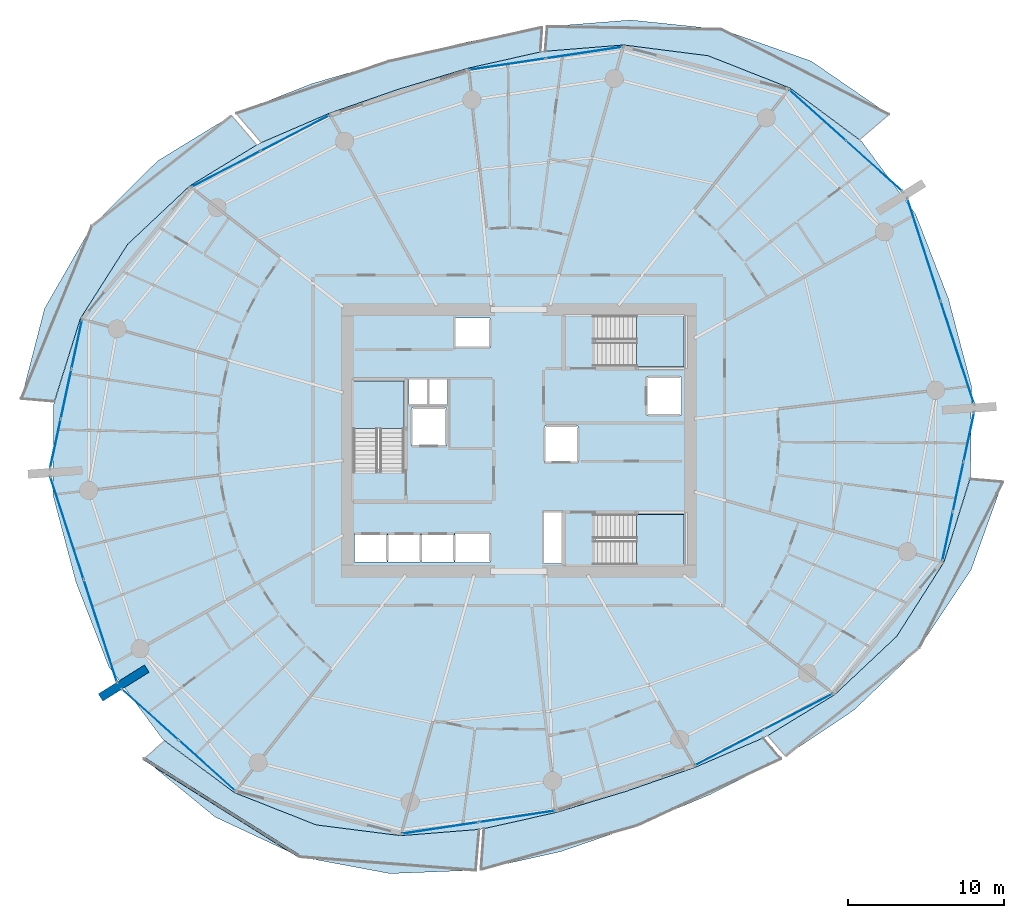
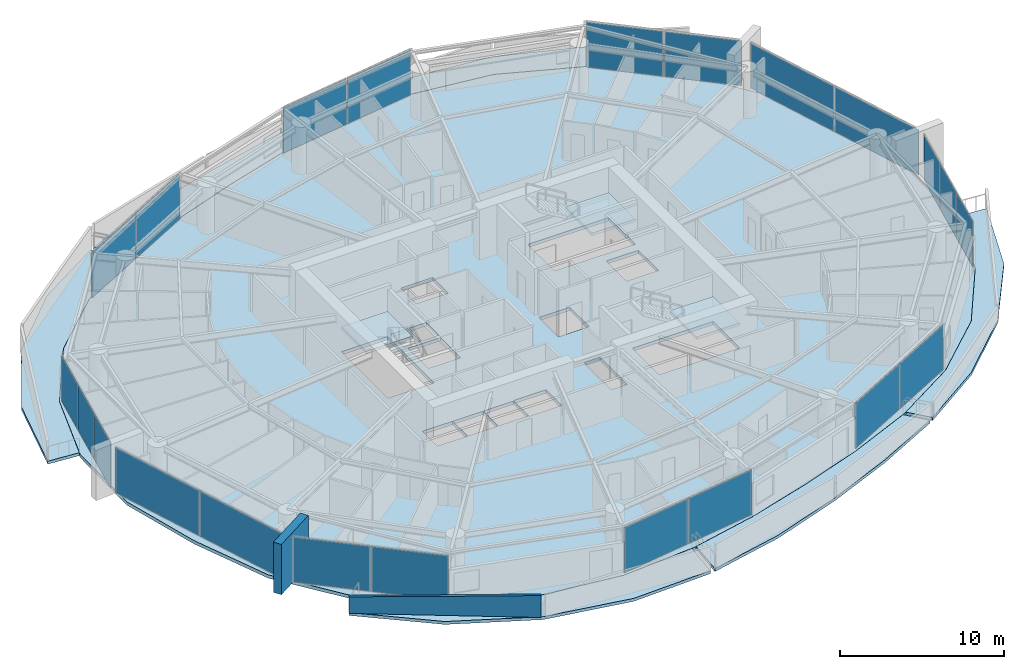
# One storey, part 10 of 23: 22 plates, 10 slabs, 2 walls, 13 elements without a shape of their own.
"""IFC4 building model written with IfcOpenShell, lengths in metres."""

from ifc_helpers import new_model, si_unit, direction, frame, frame_2d, origin, origin_2d, place, context, subcontext, project, spatial, polyline, rectangle, outline, extrude, material, layer, layer_set, type_object, element, aggregate, save


model = new_model("IFC4")

# Units and contexts
model_context = context("Model", 3, precision=1e-05, world=origin(), true_north=direction((0.0, 1.0)))
body_context = subcontext(model_context, "Body", "Model", "MODEL_VIEW")
ifc_project = project(units=[si_unit("LENGTHUNIT", "METRE"), si_unit("AREAUNIT", "SQUARE_METRE"), si_unit("VOLUMEUNIT", "CUBIC_METRE"), si_unit("PLANEANGLEUNIT", "RADIAN"), si_unit("MASSUNIT", "GRAM", prefix="KILO")], contexts=[model_context])

# Site, building, storey
site_placement = place(None, origin())
site = spatial("IfcSite", under=ifc_project, at=site_placement, CompositionType="ELEMENT")
building_placement = place(site_placement, origin())
building = spatial("IfcBuilding", under=site, at=building_placement, Name="Kazma Halo Residences", CompositionType="ELEMENT")
storey_placement = place(building_placement, frame((0.0, 0.0, 78.89990234375)))
storey = spatial("IfcBuildingStorey", under=building, at=storey_placement, Name="L19", CompositionType="ELEMENT", Elevation=78.89990234375)

# Curtain wall, plates
ifc_material_1 = material(Name="Aluminium AW-6063 T6 and Triple-Silver Low-E Glass", Category="aluminium")
ifc_layer_1 = layer(ifc_material_1, 0.199951171875)
ifc_layer_set_1 = layer_set([ifc_layer_1], Name="Aluminium AW-6063 T6 and Triple-Silver Low-E Glass")
curtain_wall_type = type_object("IfcCurtainWallType", Name="CW-SYS-3", PredefinedType="NOTDEFINED", material=ifc_layer_set_1)
curtain_wall_1_placement = place(storey_placement, origin())
curtain_wall_1 = element("IfcCurtainWall", 1, at=curtain_wall_1_placement, inside=storey, type_object=curtain_wall_type, Name="L19 unitised curtain wall B01", PredefinedType="NOTDEFINED")
ifc_material_2 = material(Name="Clear Triple-Silver Low-E Glass IGU", Category="glass")
ifc_layer_2 = layer(ifc_material_2, 0.030029296875)
ifc_layer_set_2 = layer_set([ifc_layer_2], Name="Clear Triple-Silver Low-E Glass IGU")
plate_type = type_object("IfcPlateType", Name="CW-SYS-3-PNL", PredefinedType="CURTAIN_PANEL", material=ifc_layer_set_2)
plate_1_placement = place(storey_placement, frame((71.251220703125, 59.614013671875, 0.06982421875), z_axis=(0.0, 0.0, 1.0), x_axis=(-0.744345279359, 0.667794957375, 0.0)))
plate_1 = element("IfcPlate", 2, at=plate_1_placement, type_object=plate_type, Name="CWS-3 panel 1.1", PredefinedType="CURTAIN_PANEL", context=body_context, shape_type="SweptSolid", body=[
    extrude(rectangle(XDim=4.81982421875, YDim=0.030029296875, at=origin_2d()), origin(), (0.0, 0.0, 1.0), 3.360107421875),
])
plate_2_placement = place(storey_placement, frame((67.611572265625, 62.87939453125, 0.06982421875), z_axis=(0.0, 0.0, 1.0), x_axis=(-0.744345279359, 0.667794957375, 0.0)))
plate_2 = element("IfcPlate", 3, at=plate_2_placement, type_object=plate_type, Name="CWS-3 panel 2.1", PredefinedType="CURTAIN_PANEL", context=body_context, shape_type="SweptSolid", body=[
    extrude(rectangle(XDim=4.81982421875, YDim=0.030029296875, at=origin_2d()), origin(), (0.0, 0.0, 1.0), 3.360107421875),
])
aggregate(curtain_wall_1, [plate_1, plate_2])

curtain_wall_2_placement = place(storey_placement, origin())
curtain_wall_2 = element("IfcCurtainWall", 4, at=curtain_wall_2_placement, inside=storey, type_object=curtain_wall_type, Name="L19 unitised curtain wall B03", PredefinedType="NOTDEFINED")
plate_3_placement = place(storey_placement, frame((52.625732421875, 66.900390625, 0.06982421875), z_axis=(0.0, 0.0, 1.0), x_axis=(-0.988879747814, -0.148717330409, 0.0)))
plate_3 = element("IfcPlate", 5, at=plate_3_placement, type_object=plate_type, Name="CWS-3 panel 1.1", PredefinedType="CURTAIN_PANEL", context=body_context, shape_type="SweptSolid", body=[
    extrude(rectangle(XDim=4.922607421875, YDim=0.030029296875, at=origin_2d()), origin(), (0.0, 0.0, 1.0), 3.360107421875),
])
plate_4_placement = place(storey_placement, frame((47.6884765625, 66.157958984375, 0.06982421875), z_axis=(0.0, 0.0, 1.0), x_axis=(-0.988879747814, -0.148717330409, 0.0)))
plate_4 = element("IfcPlate", 6, at=plate_4_placement, type_object=plate_type, Name="CWS-3 panel 2.1", PredefinedType="CURTAIN_PANEL", context=body_context, shape_type="SweptSolid", body=[
    extrude(rectangle(XDim=4.922607421875, YDim=0.030029296875, at=origin_2d()), origin(), (0.0, 0.0, 1.0), 3.360107421875),
])
aggregate(curtain_wall_2, [plate_3, plate_4])

curtain_wall_3_placement = place(storey_placement, origin())
curtain_wall_3 = element("IfcCurtainWall", 7, at=curtain_wall_3_placement, inside=storey, type_object=curtain_wall_type, Name="L19 unitised curtain wall B05", PredefinedType="NOTDEFINED")
plate_5_placement = place(storey_placement, frame((34.052490234375, 61.727294921875, 0.06982421875), z_axis=(0.0, 0.0, 1.0), x_axis=(-0.887435374749, -0.460932159481, 0.0)))
plate_5 = element("IfcPlate", 8, at=plate_5_placement, type_object=plate_type, Name="CWS-3 panel 1.1", PredefinedType="CURTAIN_PANEL", context=body_context, shape_type="SweptSolid", body=[
    extrude(rectangle(XDim=4.9228515625, YDim=0.030029296875, at=origin_2d()), origin(), (0.0, 0.0, 1.0), 3.360107421875),
])
plate_6_placement = place(storey_placement, frame((29.62158203125, 59.426025390625, 0.06982421875), z_axis=(0.0, 0.0, 1.0), x_axis=(-0.887435374749, -0.460932159481, 0.0)))
plate_6 = element("IfcPlate", 9, at=plate_6_placement, type_object=plate_type, Name="CWS-3 panel 2.1", PredefinedType="CURTAIN_PANEL", context=body_context, shape_type="SweptSolid", body=[
    extrude(rectangle(XDim=4.9228515625, YDim=0.030029296875, at=origin_2d()), origin(), (0.0, 0.0, 1.0), 3.360107421875),
])
aggregate(curtain_wall_3, [plate_5, plate_6])

curtain_wall_4_placement = place(storey_placement, origin())
curtain_wall_4 = element("IfcCurtainWall", 10, at=curtain_wall_4_placement, inside=storey, type_object=curtain_wall_type, Name="L19 unitised curtain wall B07", PredefinedType="NOTDEFINED")
plate_7_placement = place(storey_placement, frame((20.033447265625, 48.1669921875, 0.06982421875), z_axis=(0.0, 0.0, 1.0), x_axis=(-0.209660822677, -0.977774176093, 0.0)))
plate_7 = element("IfcPlate", 11, at=plate_7_placement, type_object=plate_type, Name="CWS-3 panel 1.1", PredefinedType="CURTAIN_PANEL", context=body_context, shape_type="SweptSolid", body=[
    extrude(rectangle(XDim=3.17822265625, YDim=0.030029296875, at=origin_2d()), origin(), (0.0, 0.0, 1.0), 3.360107421875),
])
plate_8_placement = place(storey_placement, frame((19.3486328125, 44.973876953125, 0.06982421875), z_axis=(0.0, 0.0, 1.0), x_axis=(-0.209660822677, -0.977774176093, 0.0)))
plate_8 = element("IfcPlate", 12, at=plate_8_placement, type_object=plate_type, Name="CWS-3 panel 2.1", PredefinedType="CURTAIN_PANEL", context=body_context, shape_type="SweptSolid", body=[
    extrude(rectangle(XDim=3.213134765625, YDim=0.030029296875, at=origin_2d()), origin(), (0.0, 0.0, 1.0), 3.360107421875),
])
plate_9_placement = place(storey_placement, frame((18.6640625, 41.78076171875, 0.06982421875), z_axis=(0.0, 0.0, 1.0), x_axis=(-0.209660822677, -0.977774176093, 0.0)))
plate_9 = element("IfcPlate", 13, at=plate_9_placement, type_object=plate_type, Name="CWS-3 panel 3.1", PredefinedType="CURTAIN_PANEL", context=body_context, shape_type="SweptSolid", body=[
    extrude(rectangle(XDim=3.17822265625, YDim=0.030029296875, at=origin_2d()), origin(), (0.0, 0.0, 1.0), 3.360107421875),
])
aggregate(curtain_wall_4, [plate_7, plate_8, plate_9])

curtain_wall_5_placement = place(storey_placement, origin())
curtain_wall_5 = element("IfcCurtainWall", 14, at=curtain_wall_5_placement, inside=storey, type_object=curtain_wall_type, Name="L19 unitised curtain wall B08", PredefinedType="NOTDEFINED")
plate_10_placement = place(storey_placement, frame((19.40673828125, 36.357421875, 0.06982421875), z_axis=(0.0, 0.0, 1.0), x_axis=(0.309013282008, -0.951057722508, 0.0)))
plate_10 = element("IfcPlate", 15, at=plate_10_placement, type_object=plate_type, Name="CWS-3 panel 1.1", PredefinedType="CURTAIN_PANEL", context=body_context, shape_type="SweptSolid", body=[
    extrude(rectangle(XDim=6.868896484375, YDim=0.030029296875, at=origin_2d()), origin(), (0.0, 0.0, 1.0), 3.360107421875),
])
plate_11_placement = place(storey_placement, frame((21.551025390625, 29.758056640625, 0.06982421875), z_axis=(0.0, 0.0, 1.0), x_axis=(0.309013282008, -0.951057722508, 0.0)))
plate_11 = element("IfcPlate", 16, at=plate_11_placement, type_object=plate_type, Name="CWS-3 panel 2.1", PredefinedType="CURTAIN_PANEL", context=body_context, shape_type="SweptSolid", body=[
    extrude(rectangle(XDim=6.868896484375, YDim=0.030029296875, at=origin_2d()), origin(), (0.0, 0.0, 1.0), 3.360107421875),
])
aggregate(curtain_wall_5, [plate_10, plate_11])

curtain_wall_6_placement = place(storey_placement, origin())
curtain_wall_6 = element("IfcCurtainWall", 17, at=curtain_wall_6_placement, inside=storey, type_object=curtain_wall_type, Name="L19 unitised curtain wall B09", PredefinedType="NOTDEFINED")
plate_12_placement = place(storey_placement, frame((24.748779296875, 24.385986328125, 0.06982421875), z_axis=(0.0, 0.0, 1.0), x_axis=(0.744345279359, -0.667794957375, 0.0)))
plate_12 = element("IfcPlate", 18, at=plate_12_placement, type_object=plate_type, Name="CWS-3 panel 1.1", PredefinedType="CURTAIN_PANEL", context=body_context, shape_type="SweptSolid", body=[
    extrude(rectangle(XDim=4.81982421875, YDim=0.030029296875, at=origin_2d()), origin(), (0.0, 0.0, 1.0), 3.360107421875),
])
plate_13_placement = place(storey_placement, frame((28.388427734375, 21.12060546875, 0.06982421875), z_axis=(0.0, 0.0, 1.0), x_axis=(0.744345279359, -0.667794957375, 0.0)))
plate_13 = element("IfcPlate", 19, at=plate_13_placement, type_object=plate_type, Name="CWS-3 panel 2.1", PredefinedType="CURTAIN_PANEL", context=body_context, shape_type="SweptSolid", body=[
    extrude(rectangle(XDim=4.81982421875, YDim=0.030029296875, at=origin_2d()), origin(), (0.0, 0.0, 1.0), 3.360107421875),
])
aggregate(curtain_wall_6, [plate_12, plate_13])

curtain_wall_7_placement = place(storey_placement, origin())
curtain_wall_7 = element("IfcCurtainWall", 20, at=curtain_wall_7_placement, inside=storey, type_object=curtain_wall_type, Name="L19 unitised curtain wall B11", PredefinedType="NOTDEFINED")
plate_14_placement = place(storey_placement, frame((43.374267578125, 17.099609375, 0.06982421875), z_axis=(0.0, 0.0, 1.0), x_axis=(0.988879747814, 0.148717330409, 0.0)))
plate_14 = element("IfcPlate", 21, at=plate_14_placement, type_object=plate_type, Name="CWS-3 panel 1.1", PredefinedType="CURTAIN_PANEL", context=body_context, shape_type="SweptSolid", body=[
    extrude(rectangle(XDim=4.922607421875, YDim=0.030029296875, at=origin_2d()), origin(), (0.0, 0.0, 1.0), 3.360107421875),
])
plate_15_placement = place(storey_placement, frame((48.3115234375, 17.842041015625, 0.06982421875), z_axis=(0.0, 0.0, 1.0), x_axis=(0.988879747814, 0.148717330409, 0.0)))
plate_15 = element("IfcPlate", 22, at=plate_15_placement, type_object=plate_type, Name="CWS-3 panel 2.1", PredefinedType="CURTAIN_PANEL", context=body_context, shape_type="SweptSolid", body=[
    extrude(rectangle(XDim=4.922607421875, YDim=0.030029296875, at=origin_2d()), origin(), (0.0, 0.0, 1.0), 3.360107421875),
])
aggregate(curtain_wall_7, [plate_14, plate_15])

curtain_wall_8_placement = place(storey_placement, origin())
curtain_wall_8 = element("IfcCurtainWall", 23, at=curtain_wall_8_placement, inside=storey, type_object=curtain_wall_type, Name="L19 unitised curtain wall B13", PredefinedType="NOTDEFINED")
plate_16_placement = place(storey_placement, frame((61.947509765625, 22.272705078125, 0.06982421875), z_axis=(0.0, 0.0, 1.0), x_axis=(0.887435374749, 0.460932159481, 0.0)))
plate_16 = element("IfcPlate", 24, at=plate_16_placement, type_object=plate_type, Name="CWS-3 panel 1.1", PredefinedType="CURTAIN_PANEL", context=body_context, shape_type="SweptSolid", body=[
    extrude(rectangle(XDim=4.9228515625, YDim=0.030029296875, at=origin_2d()), origin(), (0.0, 0.0, 1.0), 3.360107421875),
])
plate_17_placement = place(storey_placement, frame((66.37841796875, 24.573974609375, 0.06982421875), z_axis=(0.0, 0.0, 1.0), x_axis=(0.887435374749, 0.460932159481, 0.0)))
plate_17 = element("IfcPlate", 25, at=plate_17_placement, type_object=plate_type, Name="CWS-3 panel 2.1", PredefinedType="CURTAIN_PANEL", context=body_context, shape_type="SweptSolid", body=[
    extrude(rectangle(XDim=4.9228515625, YDim=0.030029296875, at=origin_2d()), origin(), (0.0, 0.0, 1.0), 3.360107421875),
])
aggregate(curtain_wall_8, [plate_16, plate_17])

curtain_wall_9_placement = place(storey_placement, origin())
curtain_wall_9 = element("IfcCurtainWall", 26, at=curtain_wall_9_placement, inside=storey, type_object=curtain_wall_type, Name="L19 unitised curtain wall B15", PredefinedType="NOTDEFINED")
plate_18_placement = place(storey_placement, frame((75.966552734375, 35.8330078125, 0.06982421875), z_axis=(0.0, 0.0, 1.0), x_axis=(0.209660822677, 0.977774176093, 0.0)))
plate_18 = element("IfcPlate", 27, at=plate_18_placement, type_object=plate_type, Name="CWS-3 panel 1.1", PredefinedType="CURTAIN_PANEL", context=body_context, shape_type="SweptSolid", body=[
    extrude(rectangle(XDim=3.17822265625, YDim=0.030029296875, at=origin_2d()), origin(), (0.0, 0.0, 1.0), 3.360107421875),
])
plate_19_placement = place(storey_placement, frame((76.6513671875, 39.026123046875, 0.06982421875), z_axis=(0.0, 0.0, 1.0), x_axis=(0.209660822677, 0.977774176093, 0.0)))
plate_19 = element("IfcPlate", 28, at=plate_19_placement, type_object=plate_type, Name="CWS-3 panel 2.1", PredefinedType="CURTAIN_PANEL", context=body_context, shape_type="SweptSolid", body=[
    extrude(rectangle(XDim=3.213134765625, YDim=0.030029296875, at=origin_2d()), origin(), (0.0, 0.0, 1.0), 3.360107421875),
])
plate_20_placement = place(storey_placement, frame((77.3359375, 42.21923828125, 0.06982421875), z_axis=(0.0, 0.0, 1.0), x_axis=(0.209660822677, 0.977774176093, 0.0)))
plate_20 = element("IfcPlate", 29, at=plate_20_placement, type_object=plate_type, Name="CWS-3 panel 3.1", PredefinedType="CURTAIN_PANEL", context=body_context, shape_type="SweptSolid", body=[
    extrude(rectangle(XDim=3.17822265625, YDim=0.030029296875, at=origin_2d()), origin(), (0.0, 0.0, 1.0), 3.360107421875),
])
aggregate(curtain_wall_9, [plate_18, plate_19, plate_20])

curtain_wall_10_placement = place(storey_placement, origin())
curtain_wall_10 = element("IfcCurtainWall", 30, at=curtain_wall_10_placement, inside=storey, type_object=curtain_wall_type, Name="L19 unitised curtain wall B16", PredefinedType="NOTDEFINED")
plate_21_placement = place(storey_placement, frame((76.59326171875, 47.642578125, 0.06982421875), z_axis=(0.0, 0.0, 1.0), x_axis=(-0.309013282008, 0.951057722508, 0.0)))
plate_21 = element("IfcPlate", 31, at=plate_21_placement, type_object=plate_type, Name="CWS-3 panel 1.1", PredefinedType="CURTAIN_PANEL", context=body_context, shape_type="SweptSolid", body=[
    extrude(rectangle(XDim=6.868896484375, YDim=0.030029296875, at=origin_2d()), origin(), (0.0, 0.0, 1.0), 3.360107421875),
])
plate_22_placement = place(storey_placement, frame((74.448974609375, 54.241943359375, 0.06982421875), z_axis=(0.0, 0.0, 1.0), x_axis=(-0.309013282008, 0.951057722508, 0.0)))
plate_22 = element("IfcPlate", 32, at=plate_22_placement, type_object=plate_type, Name="CWS-3 panel 2.1", PredefinedType="CURTAIN_PANEL", context=body_context, shape_type="SweptSolid", body=[
    extrude(rectangle(XDim=6.868896484375, YDim=0.030029296875, at=origin_2d()), origin(), (0.0, 0.0, 1.0), 3.360107421875),
])
aggregate(curtain_wall_10, [plate_21, plate_22])

# Slabs
ifc_material_3 = material(Name="White Concrete C50/60", Category="concrete")
ifc_layer_3 = layer(ifc_material_3, 0.219970703125)
ifc_layer_set_3 = layer_set([ifc_layer_3], Name="White Concrete C50/60")
slab_type_1 = type_object("IfcSlabType", Name="SLB-BAL-WAVE-210", PredefinedType="FLOOR", material=ifc_layer_set_3)
slab_1_placement = place(storey_placement, frame((0.0, 0.0, -0.219970703125)))
element("IfcSlab", 33, at=slab_1_placement, inside=storey, type_object=slab_type_1, Name="L19 NE cantilevered wave balcony slab", PredefinedType="FLOOR", context=body_context, shape_type="SweptSolid", body=[
    extrude(outline(polyline([(70.323974609375, 61.303466796875), (65.841064453125, 64.63134765625), (60.5869140625, 66.702880859375), (55.161865234375, 67.394287109375), (50.12060546875, 66.992431640625), (50.255126953125, 68.57666015625), (55.614013671875, 68.997314453125), (61.448974609375, 68.39501953125), (67.202880859375, 66.358642578125), (72.20068359375, 62.92626953125), (70.323974609375, 61.303466796875)])), origin(), (0.0, 0.0, 1.0), 0.219970703125),
])
slab_2_placement = place(storey_placement, frame((0.0, 0.0, -0.219970703125)))
element("IfcSlab", 34, at=slab_2_placement, inside=storey, type_object=slab_type_1, Name="L19 NNW cantilevered wave balcony slab", PredefinedType="FLOOR", context=body_context, shape_type="SweptSolid", body=[
    extrude(outline(polyline([(49.81005859375, 66.94580078125), (45.1708984375, 65.902587890625), (40.675048828125, 64.544189453125), (36.239013671875, 63.00048828125), (31.872802734375, 61.11767578125), (30.28271484375, 63.002685546875), (35.164306640625, 64.91943359375), (40.088134765625, 66.35009765625), (44.97509765625, 67.556640625), (49.9248046875, 68.52685546875), (49.81005859375, 66.94580078125)])), origin(), (0.0, 0.0, 1.0), 0.219970703125),
])
slab_3_placement = place(storey_placement, frame((0.0, 0.0, -0.219970703125)))
element("IfcSlab", 35, at=slab_3_placement, inside=storey, type_object=slab_type_1, Name="L19 NW cantilevered wave balcony slab", PredefinedType="FLOOR", context=body_context, shape_type="SweptSolid", body=[
    extrude(outline(polyline([(31.59423828125, 60.972900390625), (27.279541015625, 58.334716796875), (23.297119140625, 54.5869140625), (20.263916015625, 49.822509765625), (18.59326171875, 44.4951171875), (16.47119140625, 44.67529296875), (17.966552734375, 50.47021484375), (20.999755859375, 55.75732421875), (25.231201171875, 59.949462890625), (29.96923828125, 62.851806640625), (31.59423828125, 60.972900390625)])), origin(), (0.0, 0.0, 1.0), 0.219970703125),
])
slab_4_placement = place(storey_placement, frame((0.0, 0.0, -0.219970703125)))
element("IfcSlab", 36, at=slab_4_placement, inside=storey, type_object=slab_type_1, Name="L19 SW cantilevered wave balcony slab", PredefinedType="FLOOR", context=body_context, shape_type="SweptSolid", body=[
    extrude(outline(polyline([(25.676025390625, 22.696533203125), (30.158935546875, 19.36865234375), (35.4130859375, 17.297119140625), (40.838134765625, 16.605712890625), (45.87939453125, 17.007568359375), (45.656982421875, 14.38720703125), (40.151123046875, 14.17041015625), (34.370361328125, 15.25048828125), (28.9228515625, 17.80078125), (24.345458984375, 21.5458984375), (25.676025390625, 22.696533203125)])), origin(), (0.0, 0.0, 1.0), 0.219970703125),
])
slab_5_placement = place(storey_placement, frame((0.0, 0.0, -0.219970703125)))
element("IfcSlab", 37, at=slab_5_placement, inside=storey, type_object=slab_type_1, Name="L19 SSE cantilevered wave balcony slab", PredefinedType="FLOOR", context=body_context, shape_type="SweptSolid", body=[
    extrude(outline(polyline([(46.18994140625, 17.05419921875), (50.8291015625, 18.097412109375), (55.324951171875, 19.455810546875), (59.760986328125, 20.99951171875), (64.127197265625, 22.88232421875), (65.251708984375, 21.549072265625), (60.736328125, 19.257568359375), (56.034912109375, 17.271240234375), (51.12646484375, 15.58447265625), (46.0, 14.43603515625), (46.18994140625, 17.05419921875)])), origin(), (0.0, 0.0, 1.0), 0.219970703125),
])
slab_6_placement = place(storey_placement, frame((0.0, 0.0, -0.219970703125)))
element("IfcSlab", 38, at=slab_6_placement, inside=storey, type_object=slab_type_1, Name="L19 SE cantilevered wave balcony slab", PredefinedType="FLOOR", context=body_context, shape_type="SweptSolid", body=[
    extrude(outline(polyline([(64.40576171875, 23.027099609375), (68.720458984375, 25.665283203125), (72.702880859375, 29.4130859375), (75.736083984375, 34.177490234375), (77.40673828125, 39.5048828125), (79.509765625, 39.326416015625), (77.477294921875, 33.6865234375), (74.144287109375, 28.678955078125), (69.967529296875, 24.68212890625), (65.541015625, 21.714599609375), (64.40576171875, 23.027099609375)])), origin(), (0.0, 0.0, 1.0), 0.219970703125),
])
ifc_material_4 = material(Name="Concrete C50/60", Category="concrete")
ifc_layer_4 = layer(ifc_material_4, 0.25)
ifc_layer_set_4 = layer_set([ifc_layer_4], Name="Concrete C50/60")
slab_type_2 = type_object("IfcSlabType", Name="SLB-RES-250", PredefinedType="FLOOR", material=ifc_layer_set_4)
slab_7_placement = place(storey_placement, frame((0.0, 0.0, -0.25)))
element("IfcSlab", 39, at=slab_7_placement, inside=storey, type_object=slab_type_2, Name="L19 structural floor slab", PredefinedType="FLOOR", context=body_context, shape_type="SweptSolid", body=[
    extrude(outline(polyline([(76.02001953125, 51.104248046875), (73.918212890625, 56.514892578125), (70.459716796875, 61.182373046875), (65.83984375, 64.629638671875), (60.5859375, 66.701171875), (55.161376953125, 67.392333984375), (49.9658203125, 66.976806640625), (45.171142578125, 65.900634765625), (40.675537109375, 64.542236328125), (36.239990234375, 62.998779296875), (31.728759765625, 61.05126953125), (27.281005859375, 58.33349609375), (23.298828125, 54.5859375), (20.265869140625, 49.82177734375), (18.554443359375, 44.3173828125), (18.500244140625, 38.508544921875), (19.97998046875, 32.895751953125), (22.081787109375, 27.485107421875), (25.540283203125, 22.817626953125), (30.16015625, 19.370361328125), (35.4140625, 17.298828125), (40.838623046875, 16.607666015625), (46.0341796875, 17.023193359375), (50.828857421875, 18.099365234375), (55.324462890625, 19.457763671875), (59.760009765625, 21.001220703125), (64.271240234375, 22.94873046875), (68.718994140625, 25.66650390625), (72.701171875, 29.4140625), (75.734130859375, 34.17822265625), (77.445556640625, 39.6826171875), (77.499755859375, 45.491455078125), (76.02001953125, 51.104248046875)]), holes=[polyline([(37.800048828125, 40.110107421875), (41.050048828125, 40.110107421875), (41.050048828125, 45.800048828125), (37.800048828125, 45.800048828125), (37.800048828125, 40.110107421875)]), polyline([(53.360107421875, 46.75), (59.050048828125, 46.75), (59.050048828125, 50.0), (53.360107421875, 50.0), (53.360107421875, 46.75)]), polyline([(53.360107421875, 34.0), (59.050048828125, 34.0), (59.050048828125, 37.25), (53.360107421875, 37.25), (53.360107421875, 34.0)]), polyline([(41.52001953125, 41.6201171875), (43.780029296875, 41.6201171875), (43.780029296875, 44.080078125), (41.52001953125, 44.080078125), (41.52001953125, 41.6201171875)]), polyline([(56.6201171875, 43.6201171875), (58.8798828125, 43.6201171875), (58.8798828125, 46.080078125), (56.6201171875, 46.080078125), (56.6201171875, 43.6201171875)]), polyline([(37.864990234375, 34.195068359375), (39.97509765625, 34.195068359375), (39.97509765625, 36.0048828125), (37.864990234375, 36.0048828125), (37.864990234375, 34.195068359375)]), polyline([(40.014892578125, 34.195068359375), (42.125, 34.195068359375), (42.125, 36.0048828125), (40.014892578125, 36.0048828125), (40.014892578125, 34.195068359375)]), polyline([(42.1650390625, 34.195068359375), (44.27490234375, 34.195068359375), (44.27490234375, 36.0048828125), (42.1650390625, 36.0048828125), (42.1650390625, 34.195068359375)]), polyline([(44.320068359375, 47.945068359375), (46.580078125, 47.945068359375), (46.580078125, 49.85498046875), (44.320068359375, 49.85498046875), (44.320068359375, 47.945068359375)]), polyline([(44.320068359375, 34.14501953125), (46.580078125, 34.14501953125), (46.580078125, 36.054931640625), (44.320068359375, 36.054931640625), (44.320068359375, 34.14501953125)]), polyline([(50.070068359375, 40.570068359375), (52.22998046875, 40.570068359375), (52.22998046875, 42.929931640625), (50.070068359375, 42.929931640625), (50.070068359375, 40.570068359375)]), polyline([(41.360107421875, 44.340087890625), (42.5400390625, 44.340087890625), (42.5400390625, 45.89990234375), (41.360107421875, 45.89990234375), (41.360107421875, 44.340087890625)]), polyline([(42.659912109375, 44.340087890625), (43.840087890625, 44.340087890625), (43.840087890625, 45.89990234375), (42.659912109375, 45.89990234375), (42.659912109375, 44.340087890625)]), polyline([(50.06005859375, 34.080078125), (51.159912109375, 34.080078125), (51.159912109375, 37.3798828125), (50.06005859375, 37.3798828125), (50.06005859375, 34.080078125)])]), origin(), (0.0, 0.0, 1.0), 0.25),
])

# Stair, slab
stair_type = type_object("IfcStairType", Name="STR-RES1", PredefinedType="HALF_TURN_STAIR", material=ifc_material_4)
stair_1_placement = place(storey_placement, origin())
stair_1 = element("IfcStair", 40, at=stair_1_placement, inside=storey, type_object=stair_type, Name="L19 Core exit stair ST-01", PredefinedType="HALF_TURN_STAIR")
ifc_layer_5 = layer(ifc_material_4, 0.199951171875)
ifc_layer_set_5 = layer_set([ifc_layer_5], Name="Concrete C50/60")
slab_type_3 = type_object("IfcSlabType", Name="SLB-STAIR-LND-200", PredefinedType="LANDING", material=ifc_layer_set_5)
slab_8_placement = place(storey_placement, frame((0.0, 0.0, 1.675048828125)))
slab_8 = element("IfcSlab", 41, at=slab_8_placement, type_object=slab_type_3, Name="ST-01 landing 1", PredefinedType="LANDING", context=body_context, shape_type="SweptSolid", body=[
    extrude(outline(polyline([(41.050048828125, 42.75), (41.050048828125, 45.800048828125), (37.800048828125, 45.800048828125), (37.800048828125, 42.75), (41.050048828125, 42.75)])), origin(), (0.0, 0.0, 1.0), 0.199951171875),
])
aggregate(stair_1, [slab_8])

stair_2_placement = place(storey_placement, origin())
stair_2 = element("IfcStair", 42, at=stair_2_placement, inside=storey, type_object=stair_type, Name="L19 Core exit stair ST-02", PredefinedType="HALF_TURN_STAIR")
slab_9_placement = place(storey_placement, frame((0.0, 0.0, 1.675048828125)))
slab_9 = element("IfcSlab", 43, at=slab_9_placement, type_object=slab_type_3, Name="ST-02 landing 1", PredefinedType="LANDING", context=body_context, shape_type="SweptSolid", body=[
    extrude(outline(polyline([(56.0, 46.75), (59.050048828125, 46.75), (59.050048828125, 50.0), (56.0, 50.0), (56.0, 46.75)])), origin(), (0.0, 0.0, 1.0), 0.199951171875),
])
aggregate(stair_2, [slab_9])

stair_3_placement = place(storey_placement, origin())
stair_3 = element("IfcStair", 44, at=stair_3_placement, inside=storey, type_object=stair_type, Name="L19 Core exit stair ST-03", PredefinedType="HALF_TURN_STAIR")
slab_10_placement = place(storey_placement, frame((0.0, 0.0, 1.675048828125)))
slab_10 = element("IfcSlab", 45, at=slab_10_placement, type_object=slab_type_3, Name="ST-03 landing 1", PredefinedType="LANDING", context=body_context, shape_type="SweptSolid", body=[
    extrude(outline(polyline([(56.0, 34.0), (59.050048828125, 34.0), (59.050048828125, 37.25), (56.0, 37.25), (56.0, 34.0)])), origin(), (0.0, 0.0, 1.0), 0.199951171875),
])
aggregate(stair_3, [slab_10])

# Walls
ifc_material_5 = material(Name="White Concrete C50/60 Balustrade", Category="concrete")
ifc_layer_6 = layer(ifc_material_5, 0.179931640625)
ifc_layer_set_6 = layer_set([ifc_layer_6], Name="White Concrete C50/60 Balustrade")
wall_type_1 = type_object("IfcWallType", Name="WL-BAL-WAVE-180", PredefinedType="PARAPET", material=ifc_layer_set_6)
wall_1_placement = place(storey_placement, frame((24.345458984375, 21.5458984375, 0.0), z_axis=(0.0, 0.0, 1.0), x_axis=(0.846860965628, -0.531814351908, 0.0)))
element("IfcWall", 46, at=wall_1_placement, inside=storey, type_object=wall_type_1, Name="L19 white wave balustrade wall SW.1", PredefinedType="PARAPET", context=body_context, shape_type="SweptSolid", body=[
    extrude(outline(polyline([(0.0, 0.0), (11.7177734375, 0.0), (11.7177734375, 1.632080078125), (5.85888671875, 1.418212890625), (0.0, 1.233154296875), (0.0, 0.0)])), frame((0.0, 0.08984375, 0.0), z_axis=(0.0, -1.0, 0.0), x_axis=(1.0, 0.0, 0.0)), (0.0, 0.0, 1.0), 0.179931640625),
])
ifc_material_6 = material(Name="Pale Concrete C60/75", Category="concrete")
ifc_layer_7 = layer(ifc_material_6, 0.550048828125)
ifc_layer_set_7 = layer_set([ifc_layer_7], Name="Pale Concrete C60/75")
wall_type_2 = type_object("IfcWallType", Name="WL-BLADE-550", PredefinedType="SOLIDWALL", material=ifc_layer_set_7)
wall_2_placement = place(storey_placement, frame((24.531494140625, 27.335205078125, 0.0), z_axis=(0.0, 0.0, 1.0), x_axis=(-0.848053161125, -0.529911158502, 0.0)))
element("IfcWall", 47, at=wall_2_placement, inside=storey, type_object=wall_type_2, Name="L19 pale concrete structural blade fin wall BW-03", PredefinedType="SOLIDWALL", context=body_context, shape_type="SweptSolid", body=[
    extrude(rectangle(XDim=3.5, YDim=0.550048828125, at=frame_2d((1.75, 0.0))), origin(), (0.0, 0.0, 1.0), 3.75),
])

save(model, "model.ifc")
